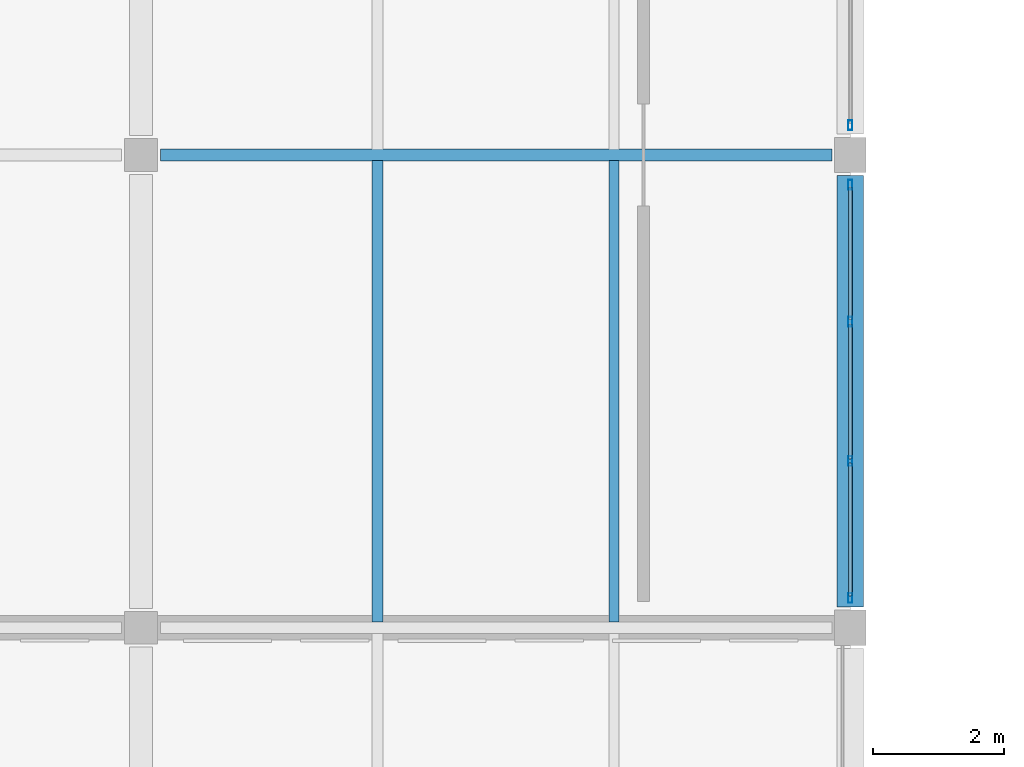
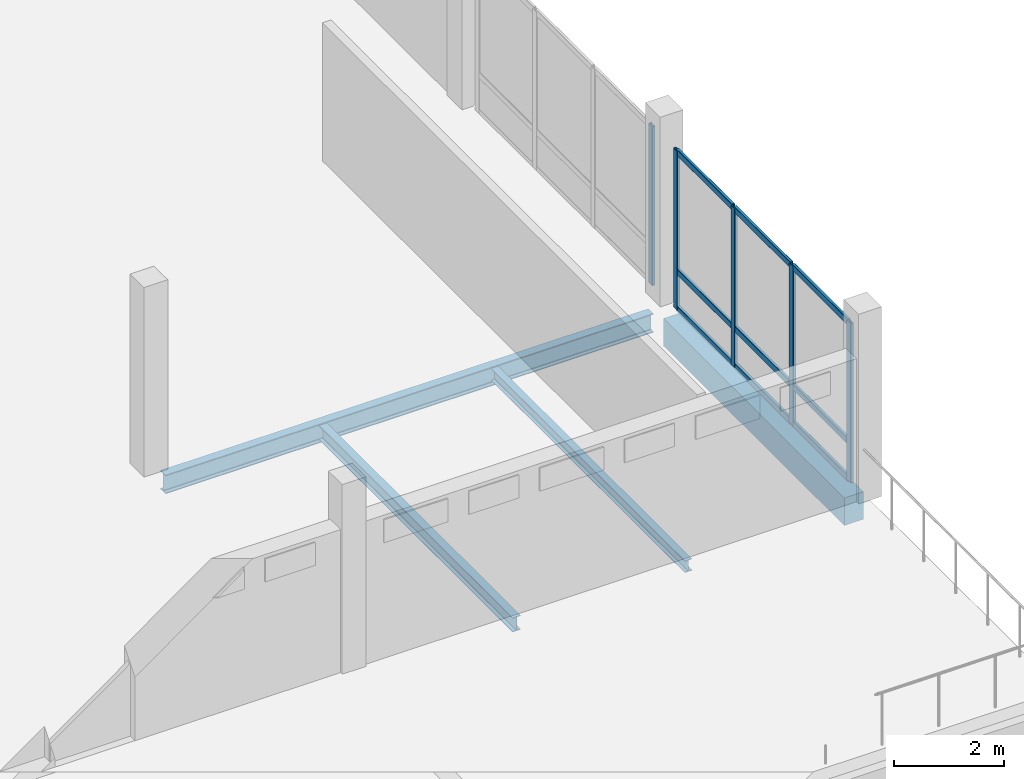
# One storey, part 6 of 72: 14 members, 4 beams, 2 elements without a shape of their own.
"""IFC4 building model written with IfcOpenShell, lengths in metres."""

from ifc_helpers import new_model, si_unit, direction, frame, origin, origin_2d, place, context, subcontext, project, spatial, rectangle, hollow_rectangle, i_section, extrude, material, material_profile, profile_set, type_object, element, aggregate, save


model = new_model("IFC4")

# Units and contexts
model_context = context("Model", 3, precision=1e-05, world=origin(), true_north=direction((0.0, 1.0)))
body_context = subcontext(model_context, "Body", "Model", "MODEL_VIEW")
ifc_project = project(units=[si_unit("LENGTHUNIT", "METRE"), si_unit("AREAUNIT", "SQUARE_METRE"), si_unit("VOLUMEUNIT", "CUBIC_METRE"), si_unit("PLANEANGLEUNIT", "RADIAN"), si_unit("MASSUNIT", "GRAM", prefix="KILO")], contexts=[model_context])

# Site, building, storey
site_placement = place(None, origin())
site = spatial("IfcSite", under=ifc_project, at=site_placement, CompositionType="ELEMENT")
building_placement = place(site_placement, origin())
building = spatial("IfcBuilding", under=site, at=building_placement, Name="Lusvemor Sports Hall", CompositionType="ELEMENT")
storey_placement = place(building_placement, frame((0.0, 0.0, 15.0)))
storey = spatial("IfcBuildingStorey", under=building, at=storey_placement, Name="L03", CompositionType="ELEMENT", Elevation=15.0)

# Beam
ifc_material_1 = material(Name="Steel S355", Category="steel")
ifc_material_profile_1 = material_profile(ifc_material_1, i_section(OverallWidth=0.180908203125, OverallDepth=0.4169921875, WebThickness=0.010986328125, FlangeThickness=0.018310546875, FilletRadius=0.01611328125, at=origin_2d()), Name="W410x85.0")
ifc_profile_set_1 = profile_set([ifc_material_profile_1], Name="Steel S355")
beam_type_1 = type_object("IfcBeamType", Name="BEAM_ST_410H", PredefinedType="BEAM", material=ifc_profile_set_1)
beam_1_placement = place(storey_placement, frame((11.095947265625, 61.199951171875, -0.452392578125), z_axis=(1.0, 0.0, 0.0), x_axis=(0.0, 1.0, 0.0)))
element("IfcBeam", 1, at=beam_1_placement, inside=storey, type_object=beam_type_1, Name="Beam L03 H:2-3", PredefinedType="BEAM", context=body_context, shape_type="SweptSolid", body=[
    extrude(i_section(OverallWidth=0.180908203125, OverallDepth=0.4169921875, WebThickness=0.010986328125, FlangeThickness=0.018310546875, FilletRadius=0.01611328125, at=origin_2d()), origin(), (0.0, 0.0, 1.0), 10.22802734375),
])

# Curtain wall, members
ifc_material_2 = material(Name="Thermally broken bronze-anodized aluminium", Category="aluminium")
curtain_wall_type = type_object("IfcCurtainWallType", Name="CW_WING_B", PredefinedType="NOTDEFINED", material=ifc_material_2)
curtain_wall_1_placement = place(storey_placement, origin())
curtain_wall_1 = element("IfcCurtainWall", 2, at=curtain_wall_1_placement, inside=storey, type_object=curtain_wall_type, Name="Curtain Wall CW-L03-E-4-0", PredefinedType="NOTDEFINED")
ifc_material_3 = material(Name="Thermally broken bronze-anodized aluminium", Category="aluminium")
ifc_material_profile_2 = material_profile(ifc_material_3, hollow_rectangle(XDim=0.06494140625, YDim=0.14990234375, WallThickness=0.00390625, InnerFilletRadius=0.00390625, OuterFilletRadius=0.008056640625, at=origin_2d()), Name="CWMUL150x65x4")
ifc_profile_set_2 = profile_set([ifc_material_profile_2], Name="Thermally broken bronze-anodized aluminium")
member_type_1 = type_object("IfcMemberType", Name="CW_MUL_B", PredefinedType="MULLION", material=ifc_profile_set_2)
member_1_placement = place(storey_placement, frame((21.60009765625, 60.74755859375, 0.0), z_axis=(0.0, 0.0, 1.0), x_axis=(1.0, 0.0, 0.0)))
member_1 = element("IfcMember", 3, at=member_1_placement, type_object=member_type_1, Name="CW02 mullion 1", PredefinedType="MULLION", context=body_context, shape_type="SweptSolid", body=[
    extrude(hollow_rectangle(XDim=0.06494140625, YDim=0.14990234375, WallThickness=0.00390625, InnerFilletRadius=0.00390625, OuterFilletRadius=0.008056640625, at=origin_2d()), origin(), (0.0, 0.0, 1.0), 3.52001953125),
])
member_2_placement = place(storey_placement, frame((21.60009765625, 58.659912109375, 0.0), z_axis=(0.0, 0.0, 1.0), x_axis=(1.0, 0.0, 0.0)))
member_2 = element("IfcMember", 4, at=member_2_placement, type_object=member_type_1, Name="CW02 mullion 2", PredefinedType="MULLION", context=body_context, shape_type="SweptSolid", body=[
    extrude(hollow_rectangle(XDim=0.06494140625, YDim=0.14990234375, WallThickness=0.00390625, InnerFilletRadius=0.00390625, OuterFilletRadius=0.008056640625, at=origin_2d()), origin(), (0.0, 0.0, 1.0), 3.52001953125),
])
member_3_placement = place(storey_placement, frame((21.60009765625, 56.5400390625, 0.0), z_axis=(0.0, 0.0, 1.0), x_axis=(1.0, 0.0, 0.0)))
member_3 = element("IfcMember", 5, at=member_3_placement, type_object=member_type_1, Name="CW02 mullion 3", PredefinedType="MULLION", context=body_context, shape_type="SweptSolid", body=[
    extrude(hollow_rectangle(XDim=0.06494140625, YDim=0.14990234375, WallThickness=0.00390625, InnerFilletRadius=0.00390625, OuterFilletRadius=0.008056640625, at=origin_2d()), origin(), (0.0, 0.0, 1.0), 3.52001953125),
])
member_4_placement = place(storey_placement, frame((21.60009765625, 54.452392578125, 0.0), z_axis=(0.0, 0.0, 1.0), x_axis=(1.0, 0.0, 0.0)))
member_4 = element("IfcMember", 6, at=member_4_placement, type_object=member_type_1, Name="CW02 mullion 4", PredefinedType="MULLION", context=body_context, shape_type="SweptSolid", body=[
    extrude(hollow_rectangle(XDim=0.06494140625, YDim=0.14990234375, WallThickness=0.00390625, InnerFilletRadius=0.00390625, OuterFilletRadius=0.008056640625, at=origin_2d()), origin(), (0.0, 0.0, 1.0), 3.52001953125),
])

# Curtain wall, member
curtain_wall_2_placement = place(storey_placement, origin())
curtain_wall_2 = element("IfcCurtainWall", 7, at=curtain_wall_2_placement, inside=storey, type_object=curtain_wall_type, Name="Curtain Wall CW-L03-E-4-1", PredefinedType="NOTDEFINED")
member_5_placement = place(storey_placement, frame((21.60009765625, 61.652587890625, 0.0), z_axis=(0.0, 0.0, 1.0), x_axis=(1.0, 0.0, 0.0)))
member_5 = element("IfcMember", 8, at=member_5_placement, type_object=member_type_1, Name="CW02 mullion 4", PredefinedType="MULLION", context=body_context, shape_type="SweptSolid", body=[
    extrude(hollow_rectangle(XDim=0.06494140625, YDim=0.14990234375, WallThickness=0.00390625, InnerFilletRadius=0.00390625, OuterFilletRadius=0.008056640625, at=origin_2d()), origin(), (0.0, 0.0, 1.0), 3.52001953125),
])
aggregate(curtain_wall_2, [member_5])

# Member
ifc_material_4 = material(Name="Thermally broken bronze-anodized aluminium", Category="aluminium")
ifc_material_profile_3 = material_profile(ifc_material_4, hollow_rectangle(XDim=0.06005859375, YDim=0.135009765625, WallThickness=0.00390625, InnerFilletRadius=0.00390625, OuterFilletRadius=0.008056640625, at=origin_2d()), Name="CWTRN135x60x4")
ifc_profile_set_3 = profile_set([ifc_material_profile_3], Name="Thermally broken bronze-anodized aluminium")
member_type_2 = type_object("IfcMemberType", Name="CW_TRN_B", PredefinedType="USERDEFINED", material=ifc_profile_set_3)
member_6_placement = place(storey_placement, frame((21.60009765625, 60.715087890625, 0.030029296875), z_axis=(0.0, -1.0, 0.0), x_axis=(1.0, 0.0, 0.0)))
member_6 = element("IfcMember", 9, at=member_6_placement, type_object=member_type_2, Name="CW02 transom 1.1", ObjectType="TRANSOM", PredefinedType="USERDEFINED", context=body_context, shape_type="SweptSolid", body=[
    extrude(hollow_rectangle(XDim=0.06005859375, YDim=0.135009765625, WallThickness=0.00390625, InnerFilletRadius=0.00390625, OuterFilletRadius=0.008056640625, at=origin_2d()), origin(), (0.0, 0.0, 1.0), 2.022705078125),
])

member_7_placement = place(storey_placement, frame((21.60009765625, 60.715087890625, 0.85009765625), z_axis=(0.0, -1.0, 0.0), x_axis=(1.0, 0.0, 0.0)))
member_7 = element("IfcMember", 10, at=member_7_placement, type_object=member_type_2, Name="CW02 transom 1.2", ObjectType="TRANSOM", PredefinedType="USERDEFINED", context=body_context, shape_type="SweptSolid", body=[
    extrude(hollow_rectangle(XDim=0.06005859375, YDim=0.135009765625, WallThickness=0.00390625, InnerFilletRadius=0.00390625, OuterFilletRadius=0.008056640625, at=origin_2d()), origin(), (0.0, 0.0, 1.0), 2.022705078125),
])

member_8_placement = place(storey_placement, frame((21.60009765625, 60.715087890625, 3.489990234375), z_axis=(0.0, -1.0, 0.0), x_axis=(1.0, 0.0, 0.0)))
member_8 = element("IfcMember", 11, at=member_8_placement, type_object=member_type_2, Name="CW02 transom 1.3", ObjectType="TRANSOM", PredefinedType="USERDEFINED", context=body_context, shape_type="SweptSolid", body=[
    extrude(hollow_rectangle(XDim=0.06005859375, YDim=0.135009765625, WallThickness=0.00390625, InnerFilletRadius=0.00390625, OuterFilletRadius=0.008056640625, at=origin_2d()), origin(), (0.0, 0.0, 1.0), 2.022705078125),
])

member_9_placement = place(storey_placement, frame((21.60009765625, 58.62744140625, 0.030029296875), z_axis=(0.0, -1.0, 0.0), x_axis=(1.0, 0.0, 0.0)))
member_9 = element("IfcMember", 12, at=member_9_placement, type_object=member_type_2, Name="CW02 transom 2.1", ObjectType="TRANSOM", PredefinedType="USERDEFINED", context=body_context, shape_type="SweptSolid", body=[
    extrude(hollow_rectangle(XDim=0.06005859375, YDim=0.135009765625, WallThickness=0.00390625, InnerFilletRadius=0.00390625, OuterFilletRadius=0.008056640625, at=origin_2d()), origin(), (0.0, 0.0, 1.0), 2.054931640625),
])

member_10_placement = place(storey_placement, frame((21.60009765625, 58.62744140625, 0.85009765625), z_axis=(0.0, -1.0, 0.0), x_axis=(1.0, 0.0, 0.0)))
member_10 = element("IfcMember", 13, at=member_10_placement, type_object=member_type_2, Name="CW02 transom 2.2", ObjectType="TRANSOM", PredefinedType="USERDEFINED", context=body_context, shape_type="SweptSolid", body=[
    extrude(hollow_rectangle(XDim=0.06005859375, YDim=0.135009765625, WallThickness=0.00390625, InnerFilletRadius=0.00390625, OuterFilletRadius=0.008056640625, at=origin_2d()), origin(), (0.0, 0.0, 1.0), 2.054931640625),
])

member_11_placement = place(storey_placement, frame((21.60009765625, 58.62744140625, 3.489990234375), z_axis=(0.0, -1.0, 0.0), x_axis=(1.0, 0.0, 0.0)))
member_11 = element("IfcMember", 14, at=member_11_placement, type_object=member_type_2, Name="CW02 transom 2.3", ObjectType="TRANSOM", PredefinedType="USERDEFINED", context=body_context, shape_type="SweptSolid", body=[
    extrude(hollow_rectangle(XDim=0.06005859375, YDim=0.135009765625, WallThickness=0.00390625, InnerFilletRadius=0.00390625, OuterFilletRadius=0.008056640625, at=origin_2d()), origin(), (0.0, 0.0, 1.0), 2.054931640625),
])

member_12_placement = place(storey_placement, frame((21.60009765625, 56.507568359375, 0.030029296875), z_axis=(0.0, -1.0, 0.0), x_axis=(1.0, 0.0, 0.0)))
member_12 = element("IfcMember", 15, at=member_12_placement, type_object=member_type_2, Name="CW02 transom 3.1", ObjectType="TRANSOM", PredefinedType="USERDEFINED", context=body_context, shape_type="SweptSolid", body=[
    extrude(hollow_rectangle(XDim=0.06005859375, YDim=0.135009765625, WallThickness=0.00390625, InnerFilletRadius=0.00390625, OuterFilletRadius=0.008056640625, at=origin_2d()), origin(), (0.0, 0.0, 1.0), 2.0224609375),
])

member_13_placement = place(storey_placement, frame((21.60009765625, 56.507568359375, 0.85009765625), z_axis=(0.0, -1.0, 0.0), x_axis=(1.0, 0.0, 0.0)))
member_13 = element("IfcMember", 16, at=member_13_placement, type_object=member_type_2, Name="CW02 transom 3.2", ObjectType="TRANSOM", PredefinedType="USERDEFINED", context=body_context, shape_type="SweptSolid", body=[
    extrude(hollow_rectangle(XDim=0.06005859375, YDim=0.135009765625, WallThickness=0.00390625, InnerFilletRadius=0.00390625, OuterFilletRadius=0.008056640625, at=origin_2d()), origin(), (0.0, 0.0, 1.0), 2.0224609375),
])

member_14_placement = place(storey_placement, frame((21.60009765625, 56.507568359375, 3.489990234375), z_axis=(0.0, -1.0, 0.0), x_axis=(1.0, 0.0, 0.0)))
member_14 = element("IfcMember", 17, at=member_14_placement, type_object=member_type_2, Name="CW02 transom 3.3", ObjectType="TRANSOM", PredefinedType="USERDEFINED", context=body_context, shape_type="SweptSolid", body=[
    extrude(hollow_rectangle(XDim=0.06005859375, YDim=0.135009765625, WallThickness=0.00390625, InnerFilletRadius=0.00390625, OuterFilletRadius=0.008056640625, at=origin_2d()), origin(), (0.0, 0.0, 1.0), 2.0224609375),
])

aggregate(curtain_wall_1, [member_1, member_2, member_3, member_4, member_6, member_7, member_8, member_9, member_10, member_11, member_12, member_13, member_14])

# Beams
ifc_material_5 = material(Name="Steel S355", Category="steel")
ifc_material_profile_4 = material_profile(ifc_material_5, i_section(OverallWidth=0.14794921875, OverallDepth=0.26611328125, WebThickness=0.007568359375, FlangeThickness=0.012939453125, FilletRadius=0.012939453125, at=origin_2d()), Name="W250x44.8")
ifc_profile_set_4 = profile_set([ifc_material_profile_4], Name="Steel S355")
beam_type_2 = type_object("IfcBeamType", Name="JOIST_ST_250M", PredefinedType="JOIST", material=ifc_profile_set_4)
beam_2_placement = place(storey_placement, frame((18.0, 54.08642578125, -0.406982421875), z_axis=(0.0, 1.0, 0.0), x_axis=(-1.0, 0.0, 0.0)))
element("IfcBeam", 18, at=beam_2_placement, inside=storey, type_object=beam_type_2, Name="Secondary Joist L03 2-3/G-H #2", PredefinedType="JOIST", context=body_context, shape_type="SweptSolid", body=[
    extrude(i_section(OverallWidth=0.14794921875, OverallDepth=0.26611328125, WebThickness=0.007568359375, FlangeThickness=0.012939453125, FilletRadius=0.012939453125, at=origin_2d()), origin(), (0.0, 0.0, 1.0), 7.027099609375),
])
ifc_material_6 = material(Name="Steel S355", Category="steel")
ifc_material_profile_5 = material_profile(ifc_material_6, i_section(OverallWidth=0.1669921875, OverallDepth=0.31689453125, WebThickness=0.007568359375, FlangeThickness=0.01318359375, FilletRadius=0.014892578125, at=origin_2d()), Name="W310x52.0")
ifc_profile_set_5 = profile_set([ifc_material_profile_5], Name="Steel S355")
beam_type_3 = type_object("IfcBeamType", Name="JOIST_ST_310M", PredefinedType="JOIST", material=ifc_profile_set_5)
beam_3_placement = place(storey_placement, frame((14.39990234375, 54.08642578125, -0.4326171875), z_axis=(0.0, 1.0, 0.0), x_axis=(-1.0, 0.0, 0.0)))
element("IfcBeam", 19, at=beam_3_placement, inside=storey, type_object=beam_type_3, Name="Secondary Joist L03 2-3/G-H #1", PredefinedType="JOIST", context=body_context, shape_type="SweptSolid", body=[
    extrude(i_section(OverallWidth=0.1669921875, OverallDepth=0.31689453125, WebThickness=0.007568359375, FlangeThickness=0.01318359375, FilletRadius=0.014892578125, at=origin_2d()), origin(), (0.0, 0.0, 1.0), 7.027099609375),
])
ifc_material_7 = material(Name="Concrete C40/50", Category="concrete")
ifc_material_profile_6 = material_profile(ifc_material_7, rectangle(XDim=0.39990234375, YDim=0.610107421875, at=origin_2d()), Name="RC400x610")
ifc_profile_set_6 = profile_set([ifc_material_profile_6], Name="Concrete C40/50")
beam_type_4 = type_object("IfcBeamType", Name="SPAND_EXT_650", PredefinedType="SPANDREL", material=ifc_profile_set_6)
beam_4_placement = place(storey_placement, frame((21.60009765625, 54.31591796875, -0.544921875), z_axis=(0.0, 1.0, 0.0), x_axis=(-1.0, 0.0, 0.0)))
element("IfcBeam", 20, at=beam_4_placement, inside=storey, type_object=beam_type_4, Name="Beam L03 3:G-H", PredefinedType="SPANDREL", context=body_context, shape_type="SweptSolid", body=[
    extrude(rectangle(XDim=0.39990234375, YDim=0.610107421875, at=origin_2d()), origin(), (0.0, 0.0, 1.0), 6.568115234375),
])

save(model, "model.ifc")
